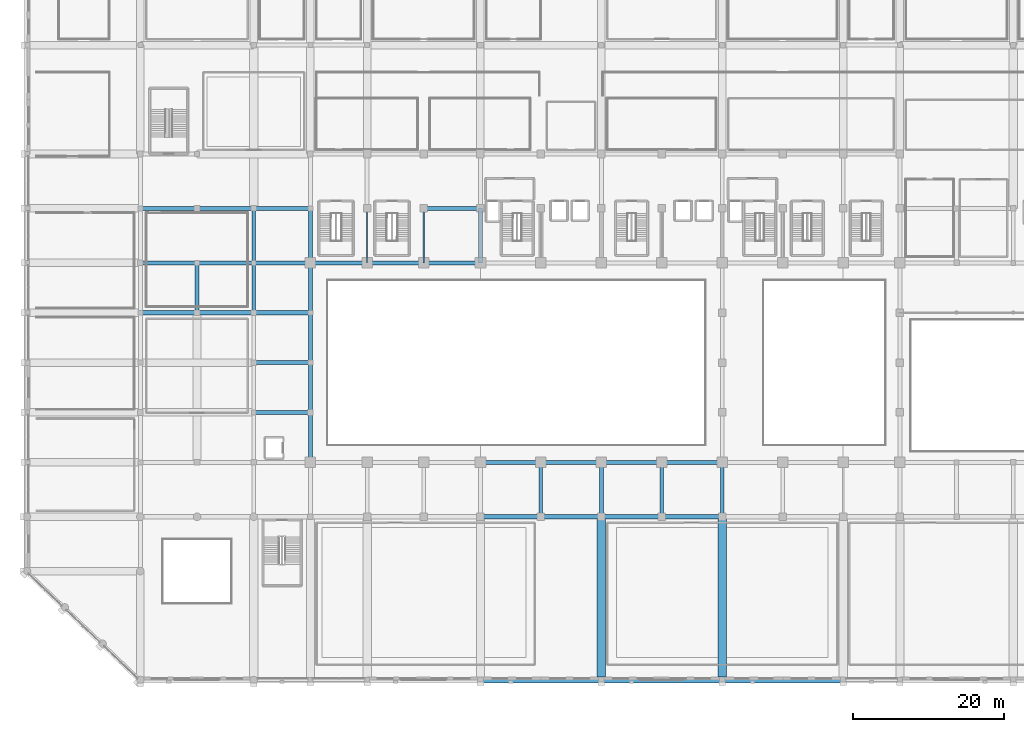
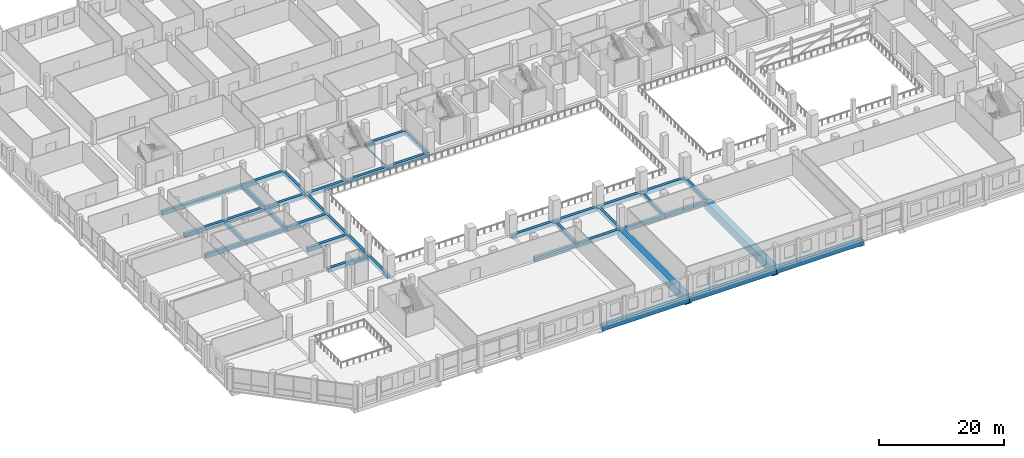
# One storey, part 21 of 64: 41 beams, 2 members.
"""IFC4 building model written with IfcOpenShell, lengths in metres."""

from ifc_helpers import new_model, si_unit, direction, frame, origin, origin_2d, place, context, subcontext, project, spatial, rectangle, hollow_rectangle, extrude, material, material_profile, profile_set, type_object, element, save


model = new_model("IFC4")

# Units and contexts
model_context = context("Model", 3, precision=1e-05, world=origin(), true_north=direction((0.0, 1.0)))
body_context = subcontext(model_context, "Body", "Model", "MODEL_VIEW")
ifc_project = project(units=[si_unit("LENGTHUNIT", "METRE"), si_unit("AREAUNIT", "SQUARE_METRE"), si_unit("VOLUMEUNIT", "CUBIC_METRE"), si_unit("PLANEANGLEUNIT", "RADIAN"), si_unit("MASSUNIT", "GRAM", prefix="KILO")], contexts=[model_context])

# Site, building, storey
site_placement = place(None, origin())
site = spatial("IfcSite", under=ifc_project, at=site_placement, CompositionType="ELEMENT")
building_placement = place(site_placement, origin())
building = spatial("IfcBuilding", under=site, at=building_placement, Name="Akrevak Sports Hall", CompositionType="ELEMENT")
storey_placement = place(building_placement, frame((0.0, 0.0, 4.60009765625)))
storey = spatial("IfcBuildingStorey", under=building, at=storey_placement, Name="L01", CompositionType="ELEMENT", Elevation=4.60009765625)

# Beams
ifc_material_1 = material(Name="Concrete C50/60", Category="concrete")
ifc_material_profile_1 = material_profile(ifc_material_1, rectangle(XDim=1.10009765625, YDim=1.64990234375, at=origin_2d()), Name="BM 1100x1650", Category="concrete")
ifc_profile_set_1 = profile_set([ifc_material_profile_1], Name="Concrete C50/60")
beam_type_1 = type_object("IfcBeamType", Name="STR-BM-LG1100x1650", PredefinedType="BEAM", material=ifc_profile_set_1)
for number, where, z_axis, x_axis, name in (
    (1, (76.0, 0.0, -0.8251953125), (0.0, 1.0, 0.0), (-1.0, 0.0, 0.0), "Girder 11/A-D (L01)"),
    (2, (92.0, 0.0, -0.8251953125), (0.0, 1.0, 0.0), (-1.0, 0.0, 0.0), "Girder 13/A-D (L01)"),
):
    element("IfcBeam", number, at=place(storey_placement, frame(where, z_axis=z_axis, x_axis=x_axis)), inside=storey, type_object=beam_type_1, Name=name, PredefinedType="BEAM", context=body_context, shape_type="SweptSolid", body=[
        extrude(rectangle(XDim=1.10009765625, YDim=1.64990234375, at=origin_2d()), origin(), (0.0, 0.0, 1.0), 21.60009765625),
    ])
ifc_material_2 = material(Name="Concrete C40/50", Category="concrete")
ifc_material_profile_2 = material_profile(ifc_material_2, rectangle(XDim=0.5, YDim=0.75, at=origin_2d()), Name="BM 500x750", Category="concrete")
ifc_profile_set_2 = profile_set([ifc_material_profile_2], Name="Concrete C40/50")
beam_type_2 = type_object("IfcBeamType", Name="STR-BM-RC500x750", PredefinedType="BEAM", material=ifc_profile_set_2)
for number, where, z_axis, x_axis, name in (
    (3, (22.5, 48.60009765625, -0.375), (0.0, 1.0, 0.0), (-1.0, 0.0, 0.0), "Girder 4/H-I (L01)"),
    (4, (30.0, 48.60009765625, -0.375), (0.0, 1.0, 0.0), (-1.0, 0.0, 0.0), "Girder 5/H-I (L01)"),
):
    element("IfcBeam", number, at=place(storey_placement, frame(where, z_axis=z_axis, x_axis=x_axis)), inside=storey, type_object=beam_type_2, Name=name, PredefinedType="BEAM", context=body_context, shape_type="SweptSolid", body=[
        extrude(rectangle(XDim=0.5, YDim=0.75, at=origin_2d()), origin(), (0.0, 0.0, 1.0), 6.599853515625),
    ])
beam_1_placement = place(storey_placement, frame((30.0, 55.199951171875, -0.375), z_axis=(0.0, 1.0, 0.0), x_axis=(-1.0, 0.0, 0.0)))
element("IfcBeam", 5, at=beam_1_placement, inside=storey, type_object=beam_type_2, Name="Girder 5/I-J (L01)", PredefinedType="BEAM", context=body_context, shape_type="SweptSolid", body=[
    extrude(rectangle(XDim=0.5, YDim=0.75, at=origin_2d()), origin(), (0.0, 0.0, 1.0), 7.199951171875),
])
beam_2_placement = place(storey_placement, frame((37.5, 28.800048828125, -0.375), z_axis=(0.0, 1.0, 0.0), x_axis=(-1.0, 0.0, 0.0)))
element("IfcBeam", 6, at=beam_2_placement, inside=storey, type_object=beam_type_2, Name="Girder 6/E-F (L01)", PredefinedType="BEAM", context=body_context, shape_type="SweptSolid", body=[
    extrude(rectangle(XDim=0.5, YDim=0.75, at=origin_2d()), origin(), (0.0, 0.0, 1.0), 6.599853515625),
])
for number, where, z_axis, x_axis, name in (
    (7, (37.5, 35.39990234375, -0.375), (0.0, 1.0, 0.0), (-1.0, 0.0, 0.0), "Girder 6/F-G (L01)"),
    (8, (37.5, 42.0, -0.375), (0.0, 1.0, 0.0), (-1.0, 0.0, 0.0), "Girder 6/G-H (L01)"),
):
    element("IfcBeam", number, at=place(storey_placement, frame(where, z_axis=z_axis, x_axis=x_axis)), inside=storey, type_object=beam_type_2, Name=name, PredefinedType="BEAM", context=body_context, shape_type="SweptSolid", body=[
        extrude(rectangle(XDim=0.5, YDim=0.75, at=origin_2d()), origin(), (0.0, 0.0, 1.0), 6.60009765625),
    ])
beam_3_placement = place(storey_placement, frame((37.5, 48.60009765625, -0.375), z_axis=(0.0, 1.0, 0.0), x_axis=(-1.0, 0.0, 0.0)))
element("IfcBeam", 9, at=beam_3_placement, inside=storey, type_object=beam_type_2, Name="Girder 6/H-I (L01)", PredefinedType="BEAM", context=body_context, shape_type="SweptSolid", body=[
    extrude(rectangle(XDim=0.5, YDim=0.75, at=origin_2d()), origin(), (0.0, 0.0, 1.0), 6.599853515625),
])
for number, where, z_axis, x_axis, name in (
    (10, (37.5, 55.199951171875, -0.375), (0.0, 1.0, 0.0), (-1.0, 0.0, 0.0), "Girder 6/I-J (L01)"),
    (11, (60.0, 55.199951171875, -0.375), (0.0, 1.0, 0.0), (-1.0, 0.0, 0.0), "Girder 9/I-J (L01)"),
    (12, (76.0, 21.60009765625, -0.375), (0.0, 1.0, 0.0), (-1.0, 0.0, 0.0), "Girder 11/D-E (L01)"),
    (13, (92.0, 21.60009765625, -0.375), (0.0, 1.0, 0.0), (-1.0, 0.0, 0.0), "Girder 13/D-E (L01)"),
):
    element("IfcBeam", number, at=place(storey_placement, frame(where, z_axis=z_axis, x_axis=x_axis)), inside=storey, type_object=beam_type_2, Name=name, PredefinedType="BEAM", context=body_context, shape_type="SweptSolid", body=[
        extrude(rectangle(XDim=0.5, YDim=0.75, at=origin_2d()), origin(), (0.0, 0.0, 1.0), 7.199951171875),
    ])
ifc_material_profile_3 = material_profile(ifc_material_2, rectangle(XDim=0.550048828125, YDim=0.800048828125, at=origin_2d()), Name="BM 550x800", Category="concrete")
ifc_profile_set_3 = profile_set([ifc_material_profile_3], Name="Concrete C40/50")
beam_type_3 = type_object("IfcBeamType", Name="STR-BM-RC550x800", PredefinedType="BEAM", material=ifc_profile_set_3)
for number, where, z_axis, x_axis, name in (
    (14, (60.0, 21.60009765625, -0.400146484375), (1.0, 0.0, 0.0), (0.0, 1.0, 0.0), "Girder D/9-10 (L01)"),
    (15, (68.0, 21.60009765625, -0.400146484375), (1.0, 0.0, 0.0), (0.0, 1.0, 0.0), "Girder D/10-11 (L01)"),
    (16, (76.0, 21.60009765625, -0.400146484375), (1.0, 0.0, 0.0), (0.0, 1.0, 0.0), "Girder D/11-12 (L01)"),
    (17, (84.0, 21.60009765625, -0.400146484375), (1.0, 0.0, 0.0), (0.0, 1.0, 0.0), "Girder D/12-13 (L01)"),
    (18, (60.0, 28.800048828125, -0.400146484375), (1.0, 0.0, 0.0), (0.0, 1.0, 0.0), "Girder E/9-10 (L01)"),
    (19, (68.0, 28.800048828125, -0.400146484375), (1.0, 0.0, 0.0), (0.0, 1.0, 0.0), "Girder E/10-11 (L01)"),
    (20, (76.0, 28.800048828125, -0.400146484375), (1.0, 0.0, 0.0), (0.0, 1.0, 0.0), "Girder E/11-12 (L01)"),
    (21, (84.0, 28.800048828125, -0.400146484375), (1.0, 0.0, 0.0), (0.0, 1.0, 0.0), "Girder E/12-13 (L01)"),
):
    element("IfcBeam", number, at=place(storey_placement, frame(where, z_axis=z_axis, x_axis=x_axis)), inside=storey, type_object=beam_type_3, Name=name, PredefinedType="BEAM", context=body_context, shape_type="SweptSolid", body=[
        extrude(rectangle(XDim=0.550048828125, YDim=0.800048828125, at=origin_2d()), origin(), (0.0, 0.0, 1.0), 8.0),
    ])
for number, where, z_axis, x_axis, name in (
    (22, (30.0, 35.39990234375, -0.400146484375), (1.0, 0.0, 0.0), (0.0, 1.0, 0.0), "Girder F/5-6 (L01)"),
    (23, (30.0, 42.0, -0.400146484375), (1.0, 0.0, 0.0), (0.0, 1.0, 0.0), "Girder G/5-6 (L01)"),
    (24, (15.0, 48.60009765625, -0.400146484375), (1.0, 0.0, 0.0), (0.0, 1.0, 0.0), "Girder H/3-4 (L01)"),
    (25, (22.5, 48.60009765625, -0.400146484375), (1.0, 0.0, 0.0), (0.0, 1.0, 0.0), "Girder H/4-5 (L01)"),
    (26, (30.0, 48.60009765625, -0.400146484375), (1.0, 0.0, 0.0), (0.0, 1.0, 0.0), "Girder H/5-6 (L01)"),
    (27, (15.0, 55.199951171875, -0.400146484375), (1.0, 0.0, 0.0), (0.0, 1.0, 0.0), "Girder I/3-4 (L01)"),
    (28, (22.5, 55.199951171875, -0.400146484375), (1.0, 0.0, 0.0), (0.0, 1.0, 0.0), "Girder I/4-5 (L01)"),
    (29, (30.0, 55.199951171875, -0.400146484375), (1.0, 0.0, 0.0), (0.0, 1.0, 0.0), "Girder I/5-6 (L01)"),
    (30, (37.5, 55.199951171875, -0.400146484375), (1.0, 0.0, 0.0), (0.0, 1.0, 0.0), "Girder I/6-7 (L01)"),
    (31, (45.0, 55.199951171875, -0.400146484375), (1.0, 0.0, 0.0), (0.0, 1.0, 0.0), "Girder I/7-8 (L01)"),
    (32, (52.5, 55.199951171875, -0.400146484375), (1.0, 0.0, 0.0), (0.0, 1.0, 0.0), "Girder I/8-9 (L01)"),
    (33, (15.0, 62.39990234375, -0.400146484375), (1.0, 0.0, 0.0), (0.0, 1.0, 0.0), "Girder J/3-4 (L01)"),
    (34, (22.5, 62.39990234375, -0.400146484375), (1.0, 0.0, 0.0), (0.0, 1.0, 0.0), "Girder J/4-5 (L01)"),
    (35, (30.0, 62.39990234375, -0.400146484375), (1.0, 0.0, 0.0), (0.0, 1.0, 0.0), "Girder J/5-6 (L01)"),
    (36, (52.5, 62.39990234375, -0.400146484375), (1.0, 0.0, 0.0), (0.0, 1.0, 0.0), "Girder J/8-9 (L01)"),
):
    element("IfcBeam", number, at=place(storey_placement, frame(where, z_axis=z_axis, x_axis=x_axis)), inside=storey, type_object=beam_type_3, Name=name, PredefinedType="BEAM", context=body_context, shape_type="SweptSolid", body=[
        extrude(rectangle(XDim=0.550048828125, YDim=0.800048828125, at=origin_2d()), origin(), (0.0, 0.0, 1.0), 7.5),
    ])

# Members
ifc_material_3 = material(Name="Steel S355", Category="steel")
ifc_material_profile_4 = material_profile(ifc_material_3, hollow_rectangle(XDim=0.14990234375, YDim=0.25, WallThickness=0.012451171875, at=origin_2d()), Name="RHS 250x150x12.5", Category="steel")
ifc_profile_set_4 = profile_set([ifc_material_profile_4], Name="Steel S355")
member_type = type_object("IfcMemberType", Name="STR-MEM-STR-RHS250", PredefinedType="STRINGER", material=ifc_profile_set_4)
for number, where, z_axis, x_axis, name in (
    (37, (45.0, 55.199951171875, -0.420166015625), (0.0, 1.0, 0.0), (-1.0, 0.0, 0.0), "Spectator Gallery Tie Stringer 1"),
    (38, (52.5, 55.199951171875, -0.420166015625), (0.0, 1.0, 0.0), (-1.0, 0.0, 0.0), "Spectator Gallery Tie Stringer 2"),
):
    element("IfcMember", number, at=place(storey_placement, frame(where, z_axis=z_axis, x_axis=x_axis)), inside=storey, type_object=member_type, Name=name, PredefinedType="STRINGER", context=body_context, shape_type="SweptSolid", body=[
        extrude(hollow_rectangle(XDim=0.14990234375, YDim=0.25, WallThickness=0.012451171875, at=origin_2d()), origin(), (0.0, 0.0, 1.0), 7.199951171875),
    ])

# Beams
ifc_material_profile_5 = material_profile(ifc_material_2, rectangle(XDim=0.449951171875, YDim=0.679931640625, at=origin_2d()), Name="RKR 450x680", Category="concrete")
ifc_profile_set_5 = profile_set([ifc_material_profile_5], Name="Concrete C40/50")
beam_type_4 = type_object("IfcBeamType", Name="STR-RKR-RC450x680", PredefinedType="BEAM", material=ifc_profile_set_5)
for number, where, z_axis, x_axis, name in (
    (39, (68.0, 21.60009765625, -0.340087890625), (0.0, 1.0, 0.0), (-1.0, 0.0, 0.0), "Spectator Stand Raker Girder RK-3"),
    (40, (84.0, 21.60009765625, -0.340087890625), (0.0, 1.0, 0.0), (-1.0, 0.0, 0.0), "Spectator Stand Raker Girder RK-4"),
):
    element("IfcBeam", number, at=place(storey_placement, frame(where, z_axis=z_axis, x_axis=x_axis)), inside=storey, type_object=beam_type_4, Name=name, PredefinedType="BEAM", context=body_context, shape_type="SweptSolid", body=[
        extrude(rectangle(XDim=0.449951171875, YDim=0.679931640625, at=origin_2d()), origin(), (0.0, 0.0, 1.0), 7.199951171875),
    ])
ifc_material_profile_6 = material_profile(ifc_material_1, rectangle(XDim=0.75, YDim=1.14990234375, at=origin_2d()), Name="SPD 750x1150", Category="concrete")
ifc_profile_set_6 = profile_set([ifc_material_profile_6], Name="Concrete C50/60")
beam_type_5 = type_object("IfcBeamType", Name="STR-SPD-LSP750x1150", PredefinedType="SPANDREL", material=ifc_profile_set_6)
for number, where, z_axis, x_axis, name in (
    (41, (60.0, 0.0, -0.5751953125), (1.0, 0.0, 0.0), (0.0, 1.0, 0.0), "Girder A/9-11 (L01)"),
    (42, (76.0, 0.0, -0.5751953125), (1.0, 0.0, 0.0), (0.0, 1.0, 0.0), "Girder A/11-13 (L01)"),
    (43, (92.0, 0.0, -0.5751953125), (1.0, 0.0, 0.0), (0.0, 1.0, 0.0), "Girder A/13-15 (L01)"),
):
    element("IfcBeam", number, at=place(storey_placement, frame(where, z_axis=z_axis, x_axis=x_axis)), inside=storey, type_object=beam_type_5, Name=name, PredefinedType="SPANDREL", context=body_context, shape_type="SweptSolid", body=[
        extrude(rectangle(XDim=0.75, YDim=1.14990234375, at=origin_2d()), origin(), (0.0, 0.0, 1.0), 16.0),
    ])

save(model, "model.ifc")
